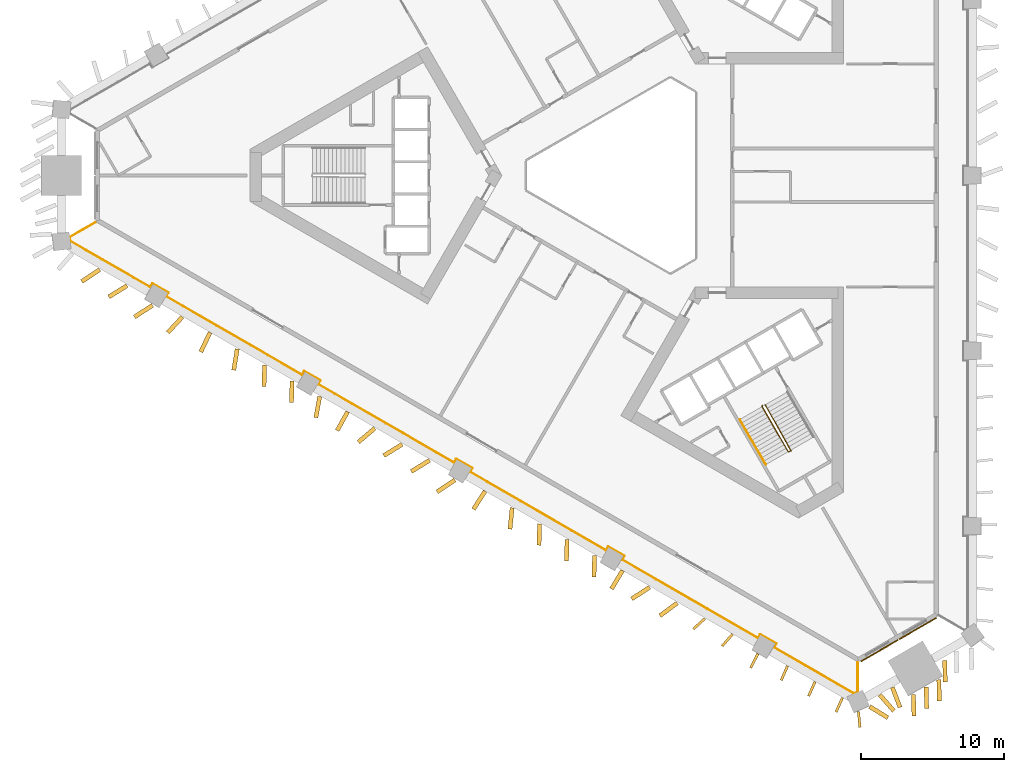
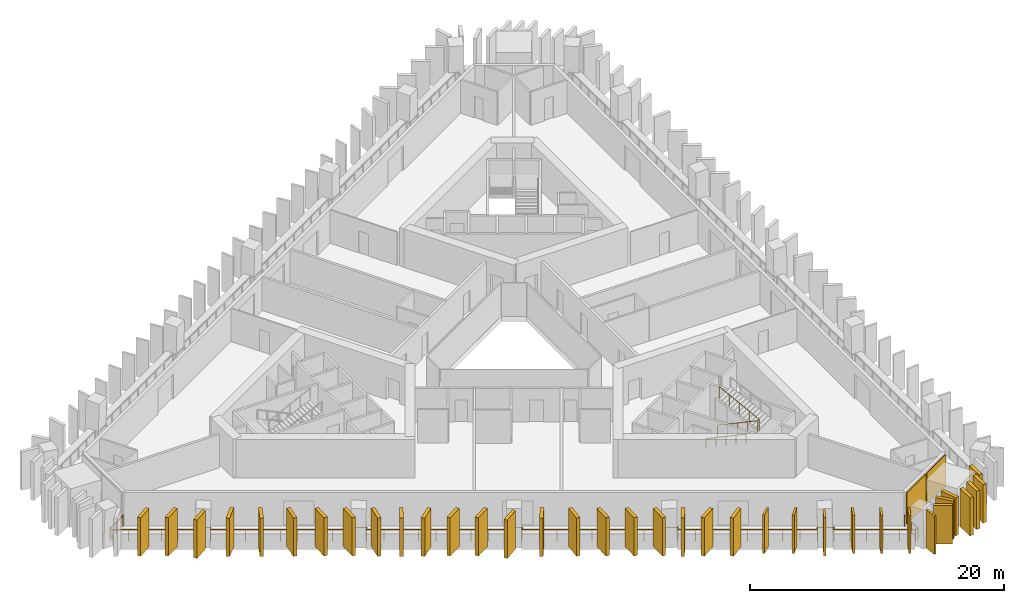
# One storey, part 7 of 10: 36 shading devices, 3 railings, 2 coverings.
"""IFC4 building model written with IfcOpenShell, lengths in metres."""

from ifc_helpers import new_model, si_unit, direction, frame, frame_2d, origin, origin_2d, place, context, subcontext, project, spatial, rectangle, circle, extrude, material, layer, layer_set, type_object, element, save


model = new_model("IFC4")

# Units and contexts
model_context = context("Model", 3, precision=1e-05, world=origin(), true_north=direction((0.0, 1.0)))
body_context = subcontext(model_context, "Body", "Model", "MODEL_VIEW")
ifc_project = project(units=[si_unit("LENGTHUNIT", "METRE"), si_unit("AREAUNIT", "SQUARE_METRE"), si_unit("VOLUMEUNIT", "CUBIC_METRE"), si_unit("PLANEANGLEUNIT", "RADIAN"), si_unit("MASSUNIT", "GRAM", prefix="KILO")], contexts=[model_context])

# Site, building, storey
site_placement = place(None, origin())
site = spatial("IfcSite", under=ifc_project, at=site_placement, CompositionType="ELEMENT")
building_placement = place(site_placement, origin())
building = spatial("IfcBuilding", under=site, at=building_placement, Name="Jabali Bay Hotel Tower and Convention Centre", CompositionType="ELEMENT")
storey_placement = place(building_placement, frame((0.0, 0.0, 37.39990234375)))
storey = spatial("IfcBuildingStorey", under=building, at=storey_placement, Name="L07", CompositionType="ELEMENT", Elevation=37.39990234375)

# Railing
ifc_material_1 = material(Name="Glass", Category="glass")
railing_type_1 = type_object("IfcRailingType", Name="Loggia glass guard 1100", PredefinedType="BALUSTRADE", material=ifc_material_1)
railing_1_placement = place(storey_placement, frame((90.859619140625, 45.958984375, 0.0)))
element("IfcRailing", 1, at=railing_1_placement, inside=storey, type_object=railing_type_1, Name="Loggia glass guard L07", PredefinedType="BALUSTRADE", context=body_context, shape_type="SweptSolid", body=[
    extrude(circle(Radius=0.02490234375, at=origin_2d()), frame((0.0, 0.0, 1.0751953125), z_axis=(0.0, -1.0, 0.0), x_axis=(0.991444861374, 0.0, 0.13052619222)), (0.0, 0.0, 1.0), 2.055908203125),
    extrude(circle(Radius=0.02490234375, at=origin_2d()), frame((0.0, -2.055908203125, 1.0751953125), z_axis=(-0.917848253155, -0.396931460305, 0.0), x_axis=(0.393535656637, -0.909995934112, 0.13052619222)), (0.0, 0.0, 1.0), 0.273681640625),
    extrude(circle(Radius=0.02490234375, at=origin_2d()), frame((-0.251220703125, -2.16455078125, 1.0751953125), z_axis=(-0.866011555249, 0.500023985599, 0.0), x_axis=(-0.495746211086, -0.858602706342, 0.13052619222)), (0.0, 0.0, 1.0), 6.447998046875),
    extrude(circle(Radius=0.02490234375, at=origin_2d()), frame((-5.835205078125, 1.0595703125, 1.0751953125), z_axis=(0.500426713919, 0.865778900179, 0.0), x_axis=(-0.858372041669, 0.49614549401, 0.13052619222)), (0.0, 0.0, 1.0), 0.300048828125),
    extrude(circle(Radius=0.02490234375, at=origin_2d()), frame((-5.68505859375, 1.3193359375, 1.0751953125), z_axis=(-0.866085525409, 0.49989585183, 0.0), x_axis=(-0.495619173519, -0.858676043677, 0.13052619222)), (0.0, 0.0, 1.0), 1.300048828125),
    extrude(circle(Radius=0.02490234375, at=origin_2d()), frame((-6.81103515625, 1.96923828125, 1.0751953125), z_axis=(-0.499816412211, -0.866131372301, 0.0), x_axis=(0.858721498343, -0.495540413517, 0.13052619222)), (0.0, 0.0, 1.0), 0.2998046875),
    extrude(circle(Radius=0.02490234375, at=origin_2d()), frame((-6.9609375, 1.70947265625, 1.0751953125), z_axis=(-0.86603054593, 0.499991093437, 0.0), x_axis=(-0.495713600321, -0.858621534555, 0.13052619222)), (0.0, 0.0, 1.0), 10.961181640625),
    extrude(circle(Radius=0.02490234375, at=origin_2d()), frame((-16.45361328125, 7.18994140625, 1.0751953125), z_axis=(0.500074377092, 0.865982457891, 0.0), x_axis=(-0.858573857916, 0.495796171473, 0.13052619222)), (0.0, 0.0, 1.0), 0.30029296875),
    extrude(circle(Radius=0.02490234375, at=origin_2d()), frame((-16.303466796875, 7.449951171875, 1.0751953125), z_axis=(-0.866085525409, 0.49989585183, 0.0), x_axis=(-0.495619173519, -0.858676043677, 0.13052619222)), (0.0, 0.0, 1.0), 1.300048828125),
    extrude(circle(Radius=0.02490234375, at=origin_2d()), frame((-17.429443359375, 8.099853515625, 1.0751953125), z_axis=(-0.499816412211, -0.866131372301, 0.0), x_axis=(0.858721498343, -0.495540413517, 0.13052619222)), (0.0, 0.0, 1.0), 0.2998046875),
    extrude(circle(Radius=0.02490234375, at=origin_2d()), frame((-17.579345703125, 7.840087890625, 1.0751953125), z_axis=(-0.86603054593, 0.499991093437, 0.0), x_axis=(-0.495713600321, -0.858621534555, 0.13052619222)), (0.0, 0.0, 1.0), 10.961181640625),
    extrude(circle(Radius=0.02490234375, at=origin_2d()), frame((-27.072021484375, 13.320556640625, 1.0751953125), z_axis=(0.499816412211, 0.866131372301, 0.0), x_axis=(-0.858721498343, 0.495540413517, 0.13052619222)), (0.0, 0.0, 1.0), 0.2998046875),
    extrude(circle(Radius=0.02490234375, at=origin_2d()), frame((-26.922119140625, 13.580322265625, 1.0751953125), z_axis=(-0.86595725628, 0.500118016368, 0.0), x_axis=(-0.495839437409, -0.858548871908, 0.13052619222)), (0.0, 0.0, 1.0), 1.300048828125),
    extrude(circle(Radius=0.02490234375, at=origin_2d()), frame((-28.0478515625, 14.23046875, 1.0751953125), z_axis=(-0.499816412211, -0.866131372301, 0.0), x_axis=(0.858721498343, -0.495540413517, 0.13052619222)), (0.0, 0.0, 1.0), 0.2998046875),
    extrude(circle(Radius=0.02490234375, at=origin_2d()), frame((-28.19775390625, 13.970703125, 1.0751953125), z_axis=(-0.86603054593, 0.499991093437, 0.0), x_axis=(-0.495713600321, -0.858621534555, 0.13052619222)), (0.0, 0.0, 1.0), 10.961181640625),
    extrude(circle(Radius=0.02490234375, at=origin_2d()), frame((-37.6904296875, 19.451171875, 1.0751953125), z_axis=(0.499816412211, 0.866131372301, 0.0), x_axis=(-0.858721498343, 0.495540413517, 0.13052619222)), (0.0, 0.0, 1.0), 0.2998046875),
    extrude(circle(Radius=0.02490234375, at=origin_2d()), frame((-37.54052734375, 19.7109375, 1.0751953125), z_axis=(-0.86595725628, 0.500118016368, 0.0), x_axis=(-0.495839437409, -0.858548871908, 0.13052619222)), (0.0, 0.0, 1.0), 1.300048828125),
    extrude(circle(Radius=0.02490234375, at=origin_2d()), frame((-38.666259765625, 20.361083984375, 1.0751953125), z_axis=(-0.500074377092, -0.865982457891, 0.0), x_axis=(0.858573857916, -0.495796171473, 0.13052619222)), (0.0, 0.0, 1.0), 0.30029296875),
    extrude(circle(Radius=0.02490234375, at=origin_2d()), frame((-38.81640625, 20.10107421875, 1.0751953125), z_axis=(-0.866015332769, 0.500017443104, 0.0), x_axis=(-0.495739724563, -0.858606451545, 0.13052619222)), (0.0, 0.0, 1.0), 10.9609375),
    extrude(circle(Radius=0.02490234375, at=origin_2d()), frame((-48.308837890625, 25.581787109375, 1.0751953125), z_axis=(0.499816412211, 0.866131372301, 0.0), x_axis=(-0.858721498343, 0.495540413517, 0.13052619222)), (0.0, 0.0, 1.0), 0.2998046875),
    extrude(circle(Radius=0.02490234375, at=origin_2d()), frame((-48.158935546875, 25.841552734375, 1.0751953125), z_axis=(-0.86603858612, 0.49997716683, 0.0), x_axis=(-0.495699792858, -0.85862950596, 0.13052619222)), (0.0, 0.0, 1.0), 1.2998046875),
    extrude(circle(Radius=0.02490234375, at=origin_2d()), frame((-49.28466796875, 26.491455078125, 1.0751953125), z_axis=(-0.500426713919, -0.865778900179, 0.0), x_axis=(0.858372041669, -0.49614549401, 0.13052619222)), (0.0, 0.0, 1.0), 0.300048828125),
    extrude(circle(Radius=0.02490234375, at=origin_2d()), frame((-49.434814453125, 26.231689453125, 1.0751953125), z_axis=(-0.866027950949, 0.499995588155, 0.0), x_axis=(-0.495718056586, -0.858618961775, 0.13052619222)), (0.0, 0.0, 1.0), 6.44775390625),
    extrude(circle(Radius=0.02490234375, at=origin_2d()), frame((-55.018798828125, 29.45556640625, 1.0751953125), z_axis=(-0.115132230487, 0.993350174663, 0.0), x_axis=(-0.984851926214, -0.114147258294, 0.13052619222)), (0.0, 0.0, 1.0), 0.2734375),
    extrude(circle(Radius=0.02490234375, at=origin_2d()), frame((-55.05029296875, 29.727294921875, 1.0751953125), z_axis=(0.866005633567, 0.500034241458, 0.0), x_axis=(-0.495756379204, 0.858596835321, 0.13052619222)), (0.0, 0.0, 1.0), 2.055908203125),
    extrude(circle(Radius=0.02001953125, at=origin_2d()), origin(), (0.0, 0.0, 1.0), 1.050048828125),
    extrude(circle(Radius=0.02001953125, at=origin_2d()), frame((0.0, -1.02783203125, 0.0)), (0.0, 0.0, 1.0), 1.050048828125),
    extrude(circle(Radius=0.02001953125, at=origin_2d()), frame((0.0, -2.055908203125, 0.0)), (0.0, 0.0, 1.0), 1.050048828125),
    extrude(circle(Radius=0.02001953125, at=origin_2d()), frame((-0.251220703125, -2.16455078125, 0.0)), (0.0, 0.0, 1.0), 1.050048828125),
    extrude(circle(Radius=0.02001953125, at=origin_2d()), frame((-1.367919921875, -1.519775390625, 0.0)), (0.0, 0.0, 1.0), 1.050048828125),
    extrude(circle(Radius=0.02001953125, at=origin_2d()), frame((-2.48486328125, -0.875, 0.0)), (0.0, 0.0, 1.0), 1.050048828125),
    extrude(circle(Radius=0.02001953125, at=origin_2d()), frame((-3.6015625, -0.22998046875, 0.0)), (0.0, 0.0, 1.0), 1.050048828125),
    extrude(circle(Radius=0.02001953125, at=origin_2d()), frame((-4.718505859375, 0.414794921875, 0.0)), (0.0, 0.0, 1.0), 1.050048828125),
    extrude(circle(Radius=0.02001953125, at=origin_2d()), frame((-5.835205078125, 1.0595703125, 0.0)), (0.0, 0.0, 1.0), 1.050048828125),
    extrude(circle(Radius=0.02001953125, at=origin_2d()), frame((-5.68505859375, 1.3193359375, 0.0)), (0.0, 0.0, 1.0), 1.050048828125),
    extrude(circle(Radius=0.02001953125, at=origin_2d()), frame((-6.81103515625, 1.96923828125, 0.0)), (0.0, 0.0, 1.0), 1.050048828125),
    extrude(circle(Radius=0.02001953125, at=origin_2d()), frame((-6.9609375, 1.70947265625, 0.0)), (0.0, 0.0, 1.0), 1.050048828125),
    extrude(circle(Radius=0.02001953125, at=origin_2d()), frame((-8.1474609375, 2.39453125, 0.0)), (0.0, 0.0, 1.0), 1.050048828125),
    extrude(circle(Radius=0.02001953125, at=origin_2d()), frame((-9.333984375, 3.07958984375, 0.0)), (0.0, 0.0, 1.0), 1.050048828125),
    extrude(circle(Radius=0.02001953125, at=origin_2d()), frame((-10.520751953125, 3.7646484375, 0.0)), (0.0, 0.0, 1.0), 1.050048828125),
    extrude(circle(Radius=0.02001953125, at=origin_2d()), frame((-11.707275390625, 4.44970703125, 0.0)), (0.0, 0.0, 1.0), 1.050048828125),
    extrude(circle(Radius=0.02001953125, at=origin_2d()), frame((-12.893798828125, 5.134765625, 0.0)), (0.0, 0.0, 1.0), 1.050048828125),
    extrude(circle(Radius=0.02001953125, at=origin_2d()), frame((-14.08056640625, 5.81982421875, 0.0)), (0.0, 0.0, 1.0), 1.050048828125),
    extrude(circle(Radius=0.02001953125, at=origin_2d()), frame((-15.26708984375, 6.5048828125, 0.0)), (0.0, 0.0, 1.0), 1.050048828125),
    extrude(circle(Radius=0.02001953125, at=origin_2d()), frame((-16.45361328125, 7.18994140625, 0.0)), (0.0, 0.0, 1.0), 1.050048828125),
    extrude(circle(Radius=0.02001953125, at=origin_2d()), frame((-16.303466796875, 7.449951171875, 0.0)), (0.0, 0.0, 1.0), 1.050048828125),
    extrude(circle(Radius=0.02001953125, at=origin_2d()), frame((-17.429443359375, 8.099853515625, 0.0)), (0.0, 0.0, 1.0), 1.050048828125),
    extrude(circle(Radius=0.02001953125, at=origin_2d()), frame((-17.579345703125, 7.840087890625, 0.0)), (0.0, 0.0, 1.0), 1.050048828125),
    extrude(circle(Radius=0.02001953125, at=origin_2d()), frame((-18.765869140625, 8.525146484375, 0.0)), (0.0, 0.0, 1.0), 1.050048828125),
    extrude(circle(Radius=0.02001953125, at=origin_2d()), frame((-19.95263671875, 9.210205078125, 0.0)), (0.0, 0.0, 1.0), 1.050048828125),
    extrude(circle(Radius=0.02001953125, at=origin_2d()), frame((-21.13916015625, 9.895263671875, 0.0)), (0.0, 0.0, 1.0), 1.050048828125),
    extrude(circle(Radius=0.02001953125, at=origin_2d()), frame((-22.32568359375, 10.580322265625, 0.0)), (0.0, 0.0, 1.0), 1.050048828125),
    extrude(circle(Radius=0.02001953125, at=origin_2d()), frame((-23.51220703125, 11.265380859375, 0.0)), (0.0, 0.0, 1.0), 1.050048828125),
    extrude(circle(Radius=0.02001953125, at=origin_2d()), frame((-24.69873046875, 11.950439453125, 0.0)), (0.0, 0.0, 1.0), 1.050048828125),
    extrude(circle(Radius=0.02001953125, at=origin_2d()), frame((-25.885498046875, 12.635498046875, 0.0)), (0.0, 0.0, 1.0), 1.050048828125),
    extrude(circle(Radius=0.02001953125, at=origin_2d()), frame((-27.072021484375, 13.320556640625, 0.0)), (0.0, 0.0, 1.0), 1.050048828125),
    extrude(circle(Radius=0.02001953125, at=origin_2d()), frame((-26.922119140625, 13.580322265625, 0.0)), (0.0, 0.0, 1.0), 1.050048828125),
    extrude(circle(Radius=0.02001953125, at=origin_2d()), frame((-28.0478515625, 14.23046875, 0.0)), (0.0, 0.0, 1.0), 1.050048828125),
    extrude(circle(Radius=0.02001953125, at=origin_2d()), frame((-28.19775390625, 13.970703125, 0.0)), (0.0, 0.0, 1.0), 1.050048828125),
    extrude(circle(Radius=0.02001953125, at=origin_2d()), frame((-29.38427734375, 14.65576171875, 0.0)), (0.0, 0.0, 1.0), 1.050048828125),
    extrude(circle(Radius=0.02001953125, at=origin_2d()), frame((-30.57080078125, 15.3408203125, 0.0)), (0.0, 0.0, 1.0), 1.050048828125),
    extrude(circle(Radius=0.02001953125, at=origin_2d()), frame((-31.757568359375, 16.02587890625, 0.0)), (0.0, 0.0, 1.0), 1.050048828125),
    extrude(circle(Radius=0.02001953125, at=origin_2d()), frame((-32.944091796875, 16.7109375, 0.0)), (0.0, 0.0, 1.0), 1.050048828125),
    extrude(circle(Radius=0.02001953125, at=origin_2d()), frame((-34.130615234375, 17.39599609375, 0.0)), (0.0, 0.0, 1.0), 1.050048828125),
    extrude(circle(Radius=0.02001953125, at=origin_2d()), frame((-35.3173828125, 18.0810546875, 0.0)), (0.0, 0.0, 1.0), 1.050048828125),
    extrude(circle(Radius=0.02001953125, at=origin_2d()), frame((-36.50390625, 18.76611328125, 0.0)), (0.0, 0.0, 1.0), 1.050048828125),
    extrude(circle(Radius=0.02001953125, at=origin_2d()), frame((-37.6904296875, 19.451171875, 0.0)), (0.0, 0.0, 1.0), 1.050048828125),
    extrude(circle(Radius=0.02001953125, at=origin_2d()), frame((-37.54052734375, 19.7109375, 0.0)), (0.0, 0.0, 1.0), 1.050048828125),
    extrude(circle(Radius=0.02001953125, at=origin_2d()), frame((-38.666259765625, 20.361083984375, 0.0)), (0.0, 0.0, 1.0), 1.050048828125),
    extrude(circle(Radius=0.02001953125, at=origin_2d()), frame((-38.81640625, 20.10107421875, 0.0)), (0.0, 0.0, 1.0), 1.050048828125),
    extrude(circle(Radius=0.02001953125, at=origin_2d()), frame((-40.0029296875, 20.7861328125, 0.0)), (0.0, 0.0, 1.0), 1.050048828125),
    extrude(circle(Radius=0.02001953125, at=origin_2d()), frame((-41.189453125, 21.47119140625, 0.0)), (0.0, 0.0, 1.0), 1.050048828125),
    extrude(circle(Radius=0.02001953125, at=origin_2d()), frame((-42.3759765625, 22.15625, 0.0)), (0.0, 0.0, 1.0), 1.050048828125),
    extrude(circle(Radius=0.02001953125, at=origin_2d()), frame((-43.5625, 22.84130859375, 0.0)), (0.0, 0.0, 1.0), 1.050048828125),
    extrude(circle(Radius=0.02001953125, at=origin_2d()), frame((-44.749267578125, 23.526611328125, 0.0)), (0.0, 0.0, 1.0), 1.050048828125),
    extrude(circle(Radius=0.02001953125, at=origin_2d()), frame((-45.935791015625, 24.211669921875, 0.0)), (0.0, 0.0, 1.0), 1.050048828125),
    extrude(circle(Radius=0.02001953125, at=origin_2d()), frame((-47.122314453125, 24.896728515625, 0.0)), (0.0, 0.0, 1.0), 1.050048828125),
    extrude(circle(Radius=0.02001953125, at=origin_2d()), frame((-48.308837890625, 25.581787109375, 0.0)), (0.0, 0.0, 1.0), 1.050048828125),
    extrude(circle(Radius=0.02001953125, at=origin_2d()), frame((-48.158935546875, 25.841552734375, 0.0)), (0.0, 0.0, 1.0), 1.050048828125),
    extrude(circle(Radius=0.02001953125, at=origin_2d()), frame((-49.28466796875, 26.491455078125, 0.0)), (0.0, 0.0, 1.0), 1.050048828125),
    extrude(circle(Radius=0.02001953125, at=origin_2d()), frame((-49.434814453125, 26.231689453125, 0.0)), (0.0, 0.0, 1.0), 1.050048828125),
    extrude(circle(Radius=0.02001953125, at=origin_2d()), frame((-50.551513671875, 26.87646484375, 0.0)), (0.0, 0.0, 1.0), 1.050048828125),
    extrude(circle(Radius=0.02001953125, at=origin_2d()), frame((-51.66845703125, 27.521240234375, 0.0)), (0.0, 0.0, 1.0), 1.050048828125),
    extrude(circle(Radius=0.02001953125, at=origin_2d()), frame((-52.78515625, 28.166015625, 0.0)), (0.0, 0.0, 1.0), 1.050048828125),
    extrude(circle(Radius=0.02001953125, at=origin_2d()), frame((-53.902099609375, 28.810791015625, 0.0)), (0.0, 0.0, 1.0), 1.050048828125),
    extrude(circle(Radius=0.02001953125, at=origin_2d()), frame((-55.018798828125, 29.45556640625, 0.0)), (0.0, 0.0, 1.0), 1.050048828125),
    extrude(circle(Radius=0.02001953125, at=origin_2d()), frame((-55.05029296875, 29.727294921875, 0.0)), (0.0, 0.0, 1.0), 1.050048828125),
    extrude(circle(Radius=0.02001953125, at=origin_2d()), frame((-54.16015625, 30.2412109375, 0.0)), (0.0, 0.0, 1.0), 1.050048828125),
    extrude(circle(Radius=0.02001953125, at=origin_2d()), frame((-53.269775390625, 30.75537109375, 0.0)), (0.0, 0.0, 1.0), 1.050048828125),
])

# Shading devices
ifc_material_2 = material(Name="Precast concrete C60", Category="concrete")
ifc_layer_1 = layer(ifc_material_2, 0.179931640625)
ifc_layer_set_1 = layer_set([ifc_layer_1], Name="Precast concrete C60")
shading_device_type_1 = type_object("IfcShadingDeviceType", Name="Precast fin 3680 x 1100", PredefinedType="USERDEFINED", material=ifc_layer_set_1)
for number, where, z_axis, x_axis, name in (
    (2, (80.182373046875, 49.041015625, 0.010009765625), (0.0, 0.0, 1.0), (-0.736859259337, -0.676046175886, 0.0), "Fin L07 099"),
    (3, (82.108642578125, 47.9404296875, 0.010009765625), (0.0, 0.0, 1.0), (-0.65623915159, -0.754552964291, 0.0), "Fin L07 100"),
):
    element("IfcShadingDevice", number, at=place(storey_placement, frame(where, z_axis=z_axis, x_axis=x_axis)), inside=storey, type_object=shading_device_type_1, Name=name, ObjectType="FIN", PredefinedType="USERDEFINED", context=body_context, shape_type="SweptSolid", body=[
        extrude(rectangle(XDim=1.10009765625, YDim=0.179931640625, at=frame_2d((0.550048828125, 0.0))), origin(), (0.0, 0.0, 1.0), 3.68017578125),
    ])
for number, where, z_axis, x_axis, name in (
    (4, (83.882568359375, 46.575439453125, 0.010009765625), (0.0, 0.0, 1.0), (-0.45368304067, -0.891163115601, 0.0), "Fin L07 101"),
    (5, (85.954833984375, 45.7275390625, 0.010009765625), (0.0, 0.0, 1.0), (-0.397077917883, -0.91778490243, 0.0), "Fin L07 102"),
):
    element("IfcShadingDevice", number, at=place(storey_placement, frame(where, z_axis=z_axis, x_axis=x_axis)), inside=storey, type_object=shading_device_type_1, Name=name, ObjectType="FIN", PredefinedType="USERDEFINED", context=body_context, shape_type="SweptSolid", body=[
        extrude(rectangle(XDim=1.099853515625, YDim=0.179931640625, at=frame_2d((0.5498046875, 0.0))), origin(), (0.0, 0.0, 1.0), 3.68017578125),
    ])
for number, where, z_axis, x_axis, name in (
    (6, (87.87646484375, 44.619140625, 0.010009765625), (0.0, 0.0, 1.0), (-0.405273381202, -0.91419554062, 0.0), "Fin L07 103"),
    (7, (89.798095703125, 43.510009765625, 0.010009765625), (0.0, 0.0, 1.0), (-0.408813733223, -0.912617845283, 0.0), "Fin L07 104"),
):
    element("IfcShadingDevice", number, at=place(storey_placement, frame(where, z_axis=z_axis, x_axis=x_axis)), inside=storey, type_object=shading_device_type_1, Name=name, ObjectType="FIN", PredefinedType="USERDEFINED", context=body_context, shape_type="SweptSolid", body=[
        extrude(rectangle(XDim=1.10009765625, YDim=0.179931640625, at=frame_2d((0.550048828125, 0.0))), origin(), (0.0, 0.0, 1.0), 3.68017578125),
    ])
shading_device_1_placement = place(storey_placement, frame((90.90966796875, 42.53369140625, 0.010009765625), z_axis=(0.0, 0.0, 1.0), x_axis=(0.101437473422, -0.994841916581, 0.0)))
element("IfcShadingDevice", 8, at=shading_device_1_placement, inside=storey, type_object=shading_device_type_1, Name="Fin L07 119", ObjectType="FIN", PredefinedType="USERDEFINED", context=body_context, shape_type="SweptSolid", body=[
    extrude(rectangle(XDim=1.099853515625, YDim=0.179931640625, at=frame_2d((0.5498046875, 0.0))), origin(), (0.0, 0.0, 1.0), 3.68017578125),
])
ifc_layer_2 = layer(ifc_material_2, 0.300048828125)
ifc_layer_set_2 = layer_set([ifc_layer_2], Name="Precast concrete C60")
shading_device_type_2 = type_object("IfcShadingDeviceType", Name="Precast fin 3680 x 1500", PredefinedType="USERDEFINED", material=ifc_layer_set_2)
for number, where, z_axis, x_axis, name in (
    (9, (37.892333984375, 73.411376953125, 0.010009765625), (0.0, 0.0, 1.0), (-0.833275136598, -0.552858523247, 0.0), "Fin L07 077"),
    (10, (39.811279296875, 72.2978515625, 0.010009765625), (0.0, 0.0, 1.0), (-0.85243979358, -0.522825399461, 0.0), "Fin L07 078"),
    (11, (41.581298828125, 70.92626953125, 0.010009765625), (0.0, 0.0, 1.0), (-0.834321952553, -0.551277497717, 0.0), "Fin L07 079"),
    (12, (43.673095703125, 70.1123046875, 0.010009765625), (0.0, 0.0, 1.0), (-0.681006532605, -0.732277339912, 0.0), "Fin L07 080"),
):
    element("IfcShadingDevice", number, at=place(storey_placement, frame(where, z_axis=z_axis, x_axis=x_axis)), inside=storey, type_object=shading_device_type_2, Name=name, ObjectType="FIN", PredefinedType="USERDEFINED", context=body_context, shape_type="SweptSolid", body=[
        extrude(rectangle(XDim=1.5, YDim=0.300048828125, at=frame_2d((0.75, 0.0))), origin(), (0.0, 0.0, 1.0), 3.68017578125),
    ])
shading_device_2_placement = place(storey_placement, frame((45.60498046875, 69.021484375, 0.010009765625), z_axis=(0.0, 0.0, 1.0), x_axis=(-0.428100338987, -0.903731209907, 0.0)))
element("IfcShadingDevice", 13, at=shading_device_2_placement, inside=storey, type_object=shading_device_type_2, Name="Fin L07 081", ObjectType="FIN", PredefinedType="USERDEFINED", context=body_context, shape_type="SweptSolid", body=[
    extrude(rectangle(XDim=1.499755859375, YDim=0.300048828125, at=frame_2d((0.75, 0.0))), origin(), (0.0, 0.0, 1.0), 3.68017578125),
])
for number, where, z_axis, x_axis, name in (
    (14, (47.505859375, 67.87646484375, 0.010009765625), (0.0, 0.0, 1.0), (-0.159831125054, -0.987144372148, 0.0), "Fin L07 082"),
    (15, (49.418212890625, 66.75146484375, 0.010009765625), (0.0, 0.0, 1.0), (-0.026691886703, -0.99964370812, 0.0), "Fin L07 083"),
    (16, (51.339599609375, 65.64208984375, 0.010009765625), (0.0, 0.0, 1.0), (-0.026691886703, -0.99964370812, 0.0), "Fin L07 084"),
):
    element("IfcShadingDevice", number, at=place(storey_placement, frame(where, z_axis=z_axis, x_axis=x_axis)), inside=storey, type_object=shading_device_type_2, Name=name, ObjectType="FIN", PredefinedType="USERDEFINED", context=body_context, shape_type="SweptSolid", body=[
        extrude(rectangle(XDim=1.5, YDim=0.300048828125, at=frame_2d((0.75, 0.0))), origin(), (0.0, 0.0, 1.0), 3.68017578125),
    ])
shading_device_3_placement = place(storey_placement, frame((53.271484375, 64.55126953125, 0.010009765625), z_axis=(0.0, 0.0, 1.0), x_axis=(-0.180317372224, -0.983608481701, 0.0)))
element("IfcShadingDevice", 17, at=shading_device_3_placement, inside=storey, type_object=shading_device_type_2, Name="Fin L07 085", ObjectType="FIN", PredefinedType="USERDEFINED", context=body_context, shape_type="SweptSolid", body=[
    extrude(rectangle(XDim=1.500244140625, YDim=0.300048828125, at=frame_2d((0.75, 0.0))), origin(), (0.0, 0.0, 1.0), 3.68017578125),
])
for number, where, z_axis, x_axis, name in (
    (18, (55.216796875, 63.483154296875, 0.010009765625), (0.0, 0.0, 1.0), (-0.485338885575, -0.874326121163, 0.0), "Fin L07 086"),
    (19, (57.114013671875, 62.33251953125, 0.010009765625), (0.0, 0.0, 1.0), (-0.762372861462, -0.647138022454, 0.0), "Fin L07 087"),
    (20, (59.02490234375, 61.204833984375, 0.010009765625), (0.0, 0.0, 1.0), (-0.85243979358, -0.522825399461, 0.0), "Fin L07 088"),
    (21, (60.9462890625, 60.095703125, 0.010009765625), (0.0, 0.0, 1.0), (-0.852367247543, -0.522943663616, 0.0), "Fin L07 089"),
    (22, (62.716796875, 58.724609375, 0.010009765625), (0.0, 0.0, 1.0), (-0.830620163566, -0.556839423782, 0.0), "Fin L07 090"),
    (23, (64.8212890625, 57.932861328125, 0.010009765625), (0.0, 0.0, 1.0), (-0.539737105533, -0.84183362781, 0.0), "Fin L07 091"),
    (24, (66.715576171875, 56.7763671875, 0.010009765625), (0.0, 0.0, 1.0), (-0.10106662339, -0.994879659877, 0.0), "Fin L07 092"),
    (25, (68.6318359375, 55.658447265625, 0.010009765625), (0.0, 0.0, 1.0), (-0.026854525092, -0.999639352208, 0.0), "Fin L07 093"),
):
    element("IfcShadingDevice", number, at=place(storey_placement, frame(where, z_axis=z_axis, x_axis=x_axis)), inside=storey, type_object=shading_device_type_2, Name=name, ObjectType="FIN", PredefinedType="USERDEFINED", context=body_context, shape_type="SweptSolid", body=[
        extrude(rectangle(XDim=1.5, YDim=0.300048828125, at=frame_2d((0.75, 0.0))), origin(), (0.0, 0.0, 1.0), 3.68017578125),
    ])
shading_device_4_placement = place(storey_placement, frame((70.55322265625, 54.549072265625, 0.010009765625), z_axis=(0.0, 0.0, 1.0), x_axis=(-0.02734687652, -0.999626004236, 0.0)))
element("IfcShadingDevice", 26, at=shading_device_4_placement, inside=storey, type_object=shading_device_type_2, Name="Fin L07 094", ObjectType="FIN", PredefinedType="USERDEFINED", context=body_context, shape_type="SweptSolid", body=[
    extrude(rectangle(XDim=1.499755859375, YDim=0.300048828125, at=frame_2d((0.75, 0.0))), origin(), (0.0, 0.0, 1.0), 3.68017578125),
])
shading_device_5_placement = place(storey_placement, frame((72.474853515625, 53.440185546875, 0.010009765625), z_axis=(0.0, 0.0, 1.0), x_axis=(-0.029293837809, -0.999570843446, 0.0)))
element("IfcShadingDevice", 27, at=shading_device_5_placement, inside=storey, type_object=shading_device_type_2, Name="Fin L07 095", ObjectType="FIN", PredefinedType="USERDEFINED", context=body_context, shape_type="SweptSolid", body=[
    extrude(rectangle(XDim=1.500244140625, YDim=0.300048828125, at=frame_2d((0.75, 0.0))), origin(), (0.0, 0.0, 1.0), 3.68017578125),
])
for number, where, z_axis, x_axis, name in (
    (28, (74.43017578125, 52.3896484375, 0.010009765625), (0.0, 0.0, 1.0), (-0.518200716932, -0.855259035013, 0.0), "Fin L07 096"),
    (29, (76.3193359375, 51.224609375, 0.010009765625), (0.0, 0.0, 1.0), (-0.836579455383, -0.547845612222, 0.0), "Fin L07 097"),
    (30, (78.24462890625, 50.1220703125, 0.010009765625), (0.0, 0.0, 1.0), (-0.80383100408, -0.594857728267, 0.0), "Fin L07 098"),
    (31, (91.689697265625, 42.890625, 0.010009765625), (0.0, 0.0, 1.0), (0.852367247543, -0.522943663616, 0.0), "Fin L07 105"),
    (32, (92.3994140625, 43.7119140625, 0.010009765625), (0.0, 0.0, 1.0), (0.658239526563, -0.752808558446, 0.0), "Fin L07 106"),
):
    element("IfcShadingDevice", number, at=place(storey_placement, frame(where, z_axis=z_axis, x_axis=x_axis)), inside=storey, type_object=shading_device_type_2, Name=name, ObjectType="FIN", PredefinedType="USERDEFINED", context=body_context, shape_type="SweptSolid", body=[
        extrude(rectangle(XDim=1.5, YDim=0.300048828125, at=frame_2d((0.75, 0.0))), origin(), (0.0, 0.0, 1.0), 3.68017578125),
    ])
shading_device_6_placement = place(storey_placement, frame((93.28466796875, 44.22900390625, 0.010009765625), z_axis=(0.0, 0.0, 1.0), x_axis=(0.354296067395, -0.935133304203, 0.0)))
element("IfcShadingDevice", 33, at=shading_device_6_placement, inside=storey, type_object=shading_device_type_2, Name="Fin L07 107", ObjectType="FIN", PredefinedType="USERDEFINED", context=body_context, shape_type="SweptSolid", body=[
    extrude(rectangle(XDim=1.500244140625, YDim=0.300048828125, at=frame_2d((0.75, 0.0))), origin(), (0.0, 0.0, 1.0), 3.68017578125),
])
shading_device_7_placement = place(storey_placement, frame((94.75244140625, 43.737060546875, 0.010009765625), z_axis=(0.0, 0.0, 1.0), x_axis=(0.026696230111, -0.999643592136, 0.0)))
element("IfcShadingDevice", 34, at=shading_device_7_placement, inside=storey, type_object=shading_device_type_2, Name="Fin L07 108", ObjectType="FIN", PredefinedType="USERDEFINED", context=body_context, shape_type="SweptSolid", body=[
    extrude(rectangle(XDim=1.499755859375, YDim=0.300048828125, at=frame_2d((0.75, 0.0))), origin(), (0.0, 0.0, 1.0), 3.68017578125),
])
for number, where, z_axis, x_axis, name in (
    (35, (95.640380859375, 44.249755859375, 0.010009765625), (0.0, 0.0, 1.0), (0.026529246195, -0.999648037609, 0.0), "Fin L07 109"),
    (36, (96.5283203125, 44.762451171875, 0.010009765625), (0.0, 0.0, 1.0), (0.026529246195, -0.999648037609, 0.0), "Fin L07 110"),
    (37, (96.93798828125, 46.103271484375, 0.010009765625), (0.0, 0.0, 1.0), (0.026691886703, -0.99964370812, 0.0), "Fin L07 111"),
):
    element("IfcShadingDevice", number, at=place(storey_placement, frame(where, z_axis=z_axis, x_axis=x_axis)), inside=storey, type_object=shading_device_type_2, Name=name, ObjectType="FIN", PredefinedType="USERDEFINED", context=body_context, shape_type="SweptSolid", body=[
        extrude(rectangle(XDim=1.5, YDim=0.300048828125, at=frame_2d((0.75, 0.0))), origin(), (0.0, 0.0, 1.0), 3.68017578125),
    ])

# Coverings
ifc_material_3 = material(Name="Precast concrete C40/50", Category="concrete")
ifc_layer_3 = layer(ifc_material_3, 0.080078125)
ifc_layer_set_3 = layer_set([ifc_layer_3], Name="Precast concrete C40/50")
covering_type = type_object("IfcCoveringType", Name="Relief panel 3000 x 3000", PredefinedType="CLADDING", material=ifc_layer_set_3)
for number, where, z_axis, x_axis, name in (
    (38, (95.06494140625, 48.3408203125, 0.10009765625), (0.0, 0.0, 1.0), (-0.866025465028, -0.499999893923, 0.0), "Relief panel L07"),
    (39, (92.38525390625, 46.793701171875, 0.10009765625), (0.0, 0.0, 1.0), (-0.866025465028, -0.499999893923, 0.0), "Relief panel L07"),
):
    element("IfcCovering", number, at=place(storey_placement, frame(where, z_axis=z_axis, x_axis=x_axis)), inside=storey, type_object=covering_type, Name=name, PredefinedType="CLADDING", context=body_context, shape_type="SweptSolid", body=[
        extrude(rectangle(XDim=3.0, YDim=0.080078125, at=origin_2d()), origin(), (0.0, 0.0, 1.0), 3.0),
    ])

# Railings
ifc_material_4 = material(Name="Steel Q355B", Category="steel")
railing_type_2 = type_object("IfcRailingType", Name="Stair guard 1100", PredefinedType="GUARDRAIL", material=ifc_material_4)
railing_2_placement = place(storey_placement, frame((84.199951171875, 63.9150390625, 0.0)))
element("IfcRailing", 40, at=railing_2_placement, inside=storey, type_object=railing_type_2, Name="L07 ST3 stair guard 1", PredefinedType="GUARDRAIL", context=body_context, shape_type="SweptSolid", body=[
    extrude(circle(Radius=0.02392578125, at=origin_2d()), frame((0.0, 0.0, 1.076171875), z_axis=(-0.122021570157, -0.455547195254, 0.88180921367), x_axis=(0.965948051503, -0.258736085224, 0.0)), (0.0, 0.0, 1.0), 0.150146484375),
    extrude(circle(Radius=0.02392578125, at=origin_2d()), frame((-0.018310546875, -0.068359375, 1.20849609375), z_axis=(0.452190331055, -0.783190014029, 0.426775475427), x_axis=(0.866018046521, 0.500012742938, 0.0)), (0.0, 0.0, 1.0), 4.02490234375),
    extrude(circle(Radius=0.02392578125, at=origin_2d()), frame((1.8017578125, -3.220703125, 2.92626953125), z_axis=(0.96121063429, 0.275815366736, 0.0), x_axis=(-0.275815366736, 0.96121063429, 0.0)), (0.0, 0.0, 1.0), 0.206298828125),
    extrude(circle(Radius=0.02392578125, at=origin_2d()), frame((2.0, -3.163818359375, 2.92626953125), z_axis=(-0.436470229993, 0.780146179382, 0.448180406895), x_axis=(-0.872702246529, -0.488252792008, 0.0)), (0.0, 0.0, 1.0), 4.1279296875),
    extrude(circle(Radius=0.02099609375, at=origin_2d()), origin(), (0.0, 0.0, 1.0), 1.052001953125),
    extrude(circle(Radius=0.02099609375, at=origin_2d()), frame((-0.018310546875, -0.068359375, 0.13232421875)), (0.0, 0.0, 1.0), 1.052001953125),
    extrude(circle(Radius=0.02099609375, at=origin_2d()), frame((0.436767578125, -0.8564453125, 0.561767578125)), (0.0, 0.0, 1.0), 1.052001953125),
    extrude(circle(Radius=0.02099609375, at=origin_2d()), frame((0.8916015625, -1.64453125, 0.9912109375)), (0.0, 0.0, 1.0), 1.052001953125),
    extrude(circle(Radius=0.02099609375, at=origin_2d()), frame((1.3466796875, -2.4326171875, 1.420654296875)), (0.0, 0.0, 1.0), 1.052001953125),
    extrude(circle(Radius=0.02099609375, at=origin_2d()), frame((1.8017578125, -3.220703125, 1.85009765625)), (0.0, 0.0, 1.0), 1.052001953125),
    extrude(circle(Radius=0.02099609375, at=origin_2d()), frame((2.0, -3.163818359375, 1.85009765625)), (0.0, 0.0, 1.0), 1.052001953125),
    extrude(circle(Radius=0.02099609375, at=origin_2d()), frame((1.549560546875, -2.358642578125, 2.3125)), (0.0, 0.0, 1.0), 1.052001953125),
    extrude(circle(Radius=0.02099609375, at=origin_2d()), frame((1.09912109375, -1.5537109375, 2.775146484375)), (0.0, 0.0, 1.0), 1.052001953125),
    extrude(circle(Radius=0.02099609375, at=origin_2d()), frame((0.648681640625, -0.74853515625, 3.23779296875)), (0.0, 0.0, 1.0), 1.052001953125),
    extrude(circle(Radius=0.02099609375, at=origin_2d()), frame((0.1982421875, 0.056640625, 3.7001953125)), (0.0, 0.0, 1.0), 1.052001953125),
])
railing_type_3 = type_object("IfcRailingType", Name="Stair handrail 900", PredefinedType="HANDRAIL", material=ifc_material_4)
railing_3_placement = place(storey_placement, frame((82.622802734375, 62.94677734375, 0.13232421875)))
element("IfcRailing", 41, at=railing_3_placement, inside=storey, type_object=railing_type_3, Name="L07 ST3 stair handrail 1", PredefinedType="HANDRAIL", context=body_context, shape_type="SweptSolid", body=[
    extrude(circle(Radius=0.02392578125, at=origin_2d()), frame((0.0, 0.0, 0.8759765625), z_axis=(0.452190331055, -0.783190014029, 0.426775475427), x_axis=(0.866018046521, 0.500012742938, 0.0)), (0.0, 0.0, 1.0), 4.02490234375),
    extrude(circle(Radius=0.02099609375, at=origin_2d()), origin(), (0.0, 0.0, 1.0), 0.851806640625),
    extrude(circle(Radius=0.02099609375, at=origin_2d()), frame((0.455078125, -0.7880859375, 0.429443359375)), (0.0, 0.0, 1.0), 0.851806640625),
    extrude(circle(Radius=0.02099609375, at=origin_2d()), frame((0.91015625, -1.576171875, 0.85888671875)), (0.0, 0.0, 1.0), 0.851806640625),
    extrude(circle(Radius=0.02099609375, at=origin_2d()), frame((1.364990234375, -2.3642578125, 1.288330078125)), (0.0, 0.0, 1.0), 0.851806640625),
    extrude(circle(Radius=0.02099609375, at=origin_2d()), frame((1.820068359375, -3.15234375, 1.7177734375)), (0.0, 0.0, 1.0), 0.851806640625),
])

save(model, "model.ifc")
